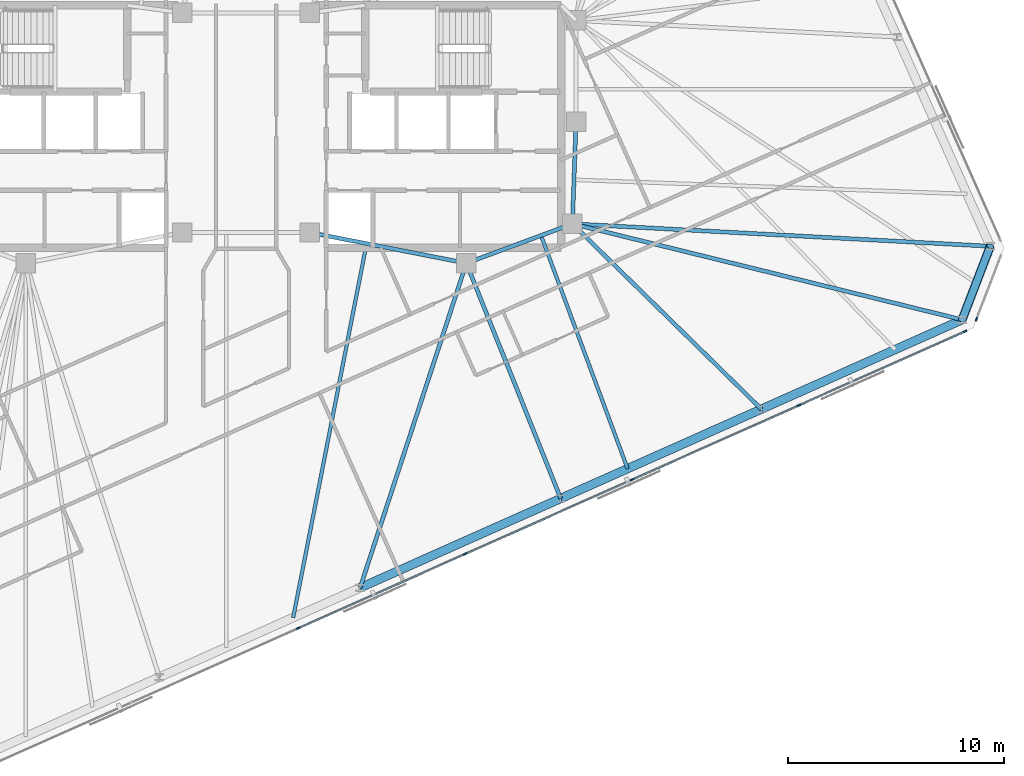
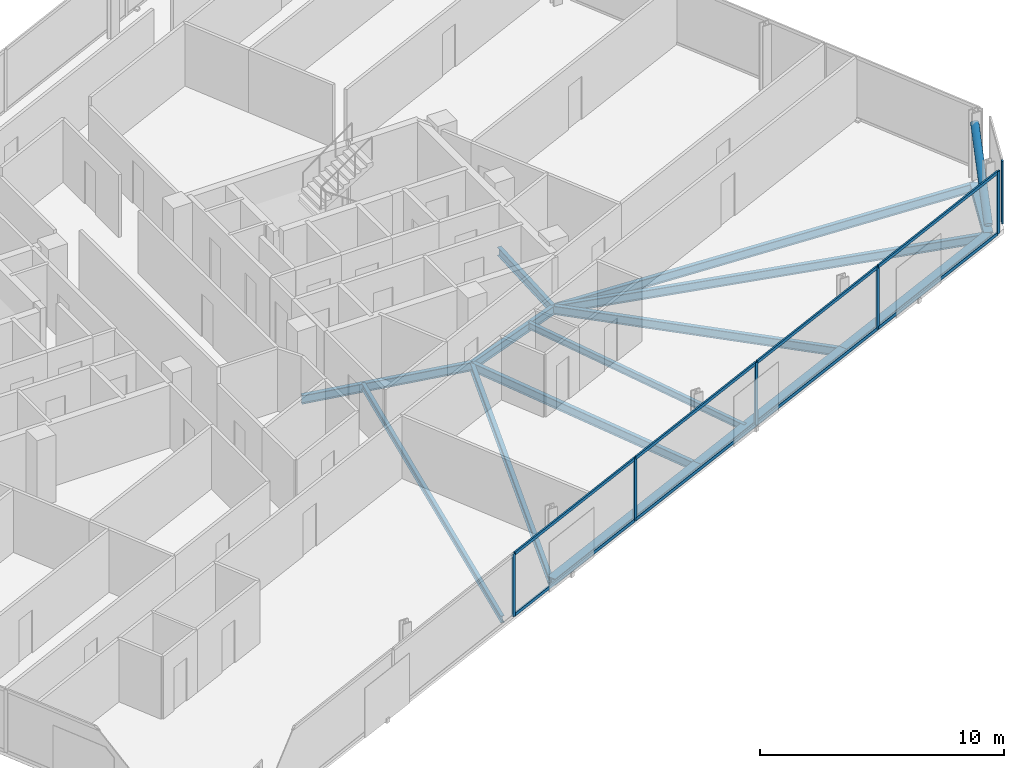
# One storey, part 7 of 18: 15 members, 14 beams, 2 elements without a shape of their own.
"""IFC4 building model written with IfcOpenShell, lengths in metres."""

from ifc_helpers import new_model, si_unit, direction, frame, origin, origin_2d, place, context, subcontext, project, spatial, rectangle, hollow_circle, i_section, extrude, material, material_profile, profile_set, type_object, element, aggregate, save


model = new_model("IFC4")

# Units and contexts
model_context = context("Model", 3, precision=1e-05, world=origin(), true_north=direction((0.0, 1.0)))
body_context = subcontext(model_context, "Body", "Model", "MODEL_VIEW")
ifc_project = project(units=[si_unit("LENGTHUNIT", "METRE"), si_unit("AREAUNIT", "SQUARE_METRE"), si_unit("VOLUMEUNIT", "CUBIC_METRE"), si_unit("PLANEANGLEUNIT", "RADIAN"), si_unit("MASSUNIT", "GRAM", prefix="KILO")], contexts=[model_context])

# Site, building, storey
site_placement = place(None, origin())
site = spatial("IfcSite", under=ifc_project, at=site_placement, CompositionType="ELEMENT")
building_placement = place(site_placement, origin())
building = spatial("IfcBuilding", under=site, at=building_placement, Name="Menara Jurai Vektor", CompositionType="ELEMENT")
storey_placement = place(building_placement, frame((0.0, 0.0, 258.85009765625)))
storey = spatial("IfcBuildingStorey", under=building, at=storey_placement, Name="L69", CompositionType="ELEMENT", Elevation=258.85009765625)

# Curtain wall, members
ifc_material_1 = material(Name="Anodised Pale Aluminium & Low-E Double Glazing", Category="aluminium")
curtain_wall_type = type_object("IfcCurtainWallType", Name="CW-BLK5", PredefinedType="NOTDEFINED", material=ifc_material_1)
curtain_wall_1_placement = place(storey_placement, origin())
curtain_wall_1 = element("IfcCurtainWall", 1, at=curtain_wall_1_placement, inside=storey, type_object=curtain_wall_type, Name="Unitised Curtain Wall L69 F01", PredefinedType="NOTDEFINED")
ifc_material_2 = material(Name="Anodised Pale Aluminium Mullion", Category="aluminium")
ifc_material_profile_1 = material_profile(ifc_material_2, rectangle(XDim=0.074951171875, YDim=0.175048828125, at=origin_2d()), Name="ALU MUL 75x175")
ifc_profile_set_1 = profile_set([ifc_material_profile_1], Name="Anodised Pale Aluminium Mullion")
member_type_1 = type_object("IfcMemberType", Name="CW-BLK5-MUL", PredefinedType="MULLION", material=ifc_profile_set_1)
member_1_placement = place(storey_placement, frame((2.417724609375, -23.190185546875, 0.0), z_axis=(0.0, 0.0, 1.0), x_axis=(-0.406735498684, 0.913545967158, 0.0)))
member_1 = element("IfcMember", 2, at=member_1_placement, type_object=member_type_1, Name="CW-05 mullion 3", PredefinedType="MULLION", context=body_context, shape_type="SweptSolid", body=[
    extrude(rectangle(XDim=0.074951171875, YDim=0.175048828125, at=origin_2d()), origin(), (0.0, 0.0, 1.0), 3.125),
])
member_2_placement = place(storey_placement, frame((10.1279296875, -19.75732421875, 0.0), z_axis=(0.0, 0.0, 1.0), x_axis=(-0.406735498684, 0.913545967158, 0.0)))
member_2 = element("IfcMember", 3, at=member_2_placement, type_object=member_type_1, Name="CW-05 mullion 4", PredefinedType="MULLION", context=body_context, shape_type="SweptSolid", body=[
    extrude(rectangle(XDim=0.074951171875, YDim=0.175048828125, at=origin_2d()), origin(), (0.0, 0.0, 1.0), 3.125),
])
member_3_placement = place(storey_placement, frame((17.83837890625, -16.324462890625, 0.0), z_axis=(0.0, 0.0, 1.0), x_axis=(-0.406735498684, 0.913545967158, 0.0)))
member_3 = element("IfcMember", 4, at=member_3_placement, type_object=member_type_1, Name="CW-05 mullion 5", PredefinedType="MULLION", context=body_context, shape_type="SweptSolid", body=[
    extrude(rectangle(XDim=0.074951171875, YDim=0.175048828125, at=origin_2d()), origin(), (0.0, 0.0, 1.0), 3.125),
])
member_4_placement = place(storey_placement, frame((25.548583984375, -12.8916015625, 0.0), z_axis=(0.0, 0.0, 1.0), x_axis=(-0.406735498684, 0.913545967158, 0.0)))
member_4 = element("IfcMember", 5, at=member_4_placement, type_object=member_type_1, Name="CW-05 mullion 6", PredefinedType="MULLION", context=body_context, shape_type="SweptSolid", body=[
    extrude(rectangle(XDim=0.074951171875, YDim=0.175048828125, at=origin_2d()), origin(), (0.0, 0.0, 1.0), 3.125),
])
member_5_placement = place(storey_placement, frame((33.224853515625, -9.47412109375, 0.0), z_axis=(0.0, 0.0, 1.0), x_axis=(-0.406735498684, 0.913545967158, 0.0)))
member_5 = element("IfcMember", 6, at=member_5_placement, type_object=member_type_1, Name="CW-05 mullion 7", PredefinedType="MULLION", context=body_context, shape_type="SweptSolid", body=[
    extrude(rectangle(XDim=0.074951171875, YDim=0.175048828125, at=origin_2d()), origin(), (0.0, 0.0, 1.0), 3.125),
])

# Curtain wall, member
curtain_wall_2_placement = place(storey_placement, origin())
curtain_wall_2 = element("IfcCurtainWall", 7, at=curtain_wall_2_placement, inside=storey, type_object=curtain_wall_type, Name="Unitised Curtain Wall L69 F02", PredefinedType="NOTDEFINED")
member_6_placement = place(storey_placement, frame((33.755859375, -8.914306640625, 0.0), z_axis=(0.0, 0.0, 1.0), x_axis=(-0.933578193639, 0.358373766287, 0.0)))
member_6 = element("IfcMember", 8, at=member_6_placement, type_object=member_type_1, Name="CW-05 mullion 1", PredefinedType="MULLION", context=body_context, shape_type="SweptSolid", body=[
    extrude(rectangle(XDim=0.074951171875, YDim=0.175048828125, at=origin_2d()), origin(), (0.0, 0.0, 1.0), 3.125),
])
aggregate(curtain_wall_2, [member_6])

# Member
ifc_material_3 = material(Name="Anodised Pale Aluminium Transom", Category="aluminium")
ifc_material_profile_2 = material_profile(ifc_material_3, rectangle(XDim=0.074951171875, YDim=0.155029296875, at=origin_2d()), Name="ALU TRN 75x155")
ifc_profile_set_2 = profile_set([ifc_material_profile_2], Name="Anodised Pale Aluminium Transom")
member_type_2 = type_object("IfcMemberType", Name="CW-BLK5-TRN", PredefinedType="USERDEFINED", material=ifc_profile_set_2)
member_7_placement = place(storey_placement, frame((2.451904296875, -23.175048828125, 0.037353515625), z_axis=(0.913546575494, 0.406734132331, 0.0), x_axis=(-0.406734132331, 0.913546575494, 0.0)))
member_7 = element("IfcMember", 9, at=member_7_placement, type_object=member_type_2, Name="CW-05 transom 3.1", ObjectType="TRANSOM", PredefinedType="USERDEFINED", context=body_context, shape_type="SweptSolid", body=[
    extrude(rectangle(XDim=0.074951171875, YDim=0.155029296875, at=origin_2d()), origin(), (0.0, 0.0, 1.0), 8.364990234375),
])

member_8_placement = place(storey_placement, frame((2.451904296875, -23.175048828125, 3.08740234375), z_axis=(0.913546575494, 0.406734132331, 0.0), x_axis=(-0.406734132331, 0.913546575494, 0.0)))
member_8 = element("IfcMember", 10, at=member_8_placement, type_object=member_type_2, Name="CW-05 transom 3.2", ObjectType="TRANSOM", PredefinedType="USERDEFINED", context=body_context, shape_type="SweptSolid", body=[
    extrude(rectangle(XDim=0.074951171875, YDim=0.155029296875, at=origin_2d()), origin(), (0.0, 0.0, 1.0), 8.364990234375),
])

member_9_placement = place(storey_placement, frame((10.162353515625, -19.7421875, 0.037353515625), z_axis=(0.913541747007, 0.406744977198, 0.0), x_axis=(-0.406744977198, 0.913541747007, 0.0)))
member_9 = element("IfcMember", 11, at=member_9_placement, type_object=member_type_2, Name="CW-05 transom 4.1", ObjectType="TRANSOM", PredefinedType="USERDEFINED", context=body_context, shape_type="SweptSolid", body=[
    extrude(rectangle(XDim=0.074951171875, YDim=0.155029296875, at=origin_2d()), origin(), (0.0, 0.0, 1.0), 8.36474609375),
])

member_10_placement = place(storey_placement, frame((10.162353515625, -19.7421875, 3.08740234375), z_axis=(0.913541747007, 0.406744977198, 0.0), x_axis=(-0.406744977198, 0.913541747007, 0.0)))
member_10 = element("IfcMember", 12, at=member_10_placement, type_object=member_type_2, Name="CW-05 transom 4.2", ObjectType="TRANSOM", PredefinedType="USERDEFINED", context=body_context, shape_type="SweptSolid", body=[
    extrude(rectangle(XDim=0.074951171875, YDim=0.155029296875, at=origin_2d()), origin(), (0.0, 0.0, 1.0), 8.36474609375),
])

member_11_placement = place(storey_placement, frame((17.87255859375, -16.309326171875, 0.037353515625), z_axis=(0.913546575494, 0.406734132331, 0.0), x_axis=(-0.406734132331, 0.913546575494, 0.0)))
member_11 = element("IfcMember", 13, at=member_11_placement, type_object=member_type_2, Name="CW-05 transom 5.1", ObjectType="TRANSOM", PredefinedType="USERDEFINED", context=body_context, shape_type="SweptSolid", body=[
    extrude(rectangle(XDim=0.074951171875, YDim=0.155029296875, at=origin_2d()), origin(), (0.0, 0.0, 1.0), 8.364990234375),
])

member_12_placement = place(storey_placement, frame((17.87255859375, -16.309326171875, 3.08740234375), z_axis=(0.913546575494, 0.406734132331, 0.0), x_axis=(-0.406734132331, 0.913546575494, 0.0)))
member_12 = element("IfcMember", 14, at=member_12_placement, type_object=member_type_2, Name="CW-05 transom 5.2", ObjectType="TRANSOM", PredefinedType="USERDEFINED", context=body_context, shape_type="SweptSolid", body=[
    extrude(rectangle(XDim=0.074951171875, YDim=0.155029296875, at=origin_2d()), origin(), (0.0, 0.0, 1.0), 8.364990234375),
])

member_13_placement = place(storey_placement, frame((25.5830078125, -12.87646484375, 0.037353515625), z_axis=(0.91353811338, 0.406753138159, 0.0), x_axis=(-0.406753138159, 0.91353811338, 0.0)))
member_13 = element("IfcMember", 15, at=member_13_placement, type_object=member_type_2, Name="CW-05 transom 6.1", ObjectType="TRANSOM", PredefinedType="USERDEFINED", context=body_context, shape_type="SweptSolid", body=[
    extrude(rectangle(XDim=0.074951171875, YDim=0.155029296875, at=origin_2d()), origin(), (0.0, 0.0, 1.0), 8.327392578125),
])

member_14_placement = place(storey_placement, frame((25.5830078125, -12.87646484375, 3.08740234375), z_axis=(0.91353811338, 0.406753138159, 0.0), x_axis=(-0.406753138159, 0.91353811338, 0.0)))
member_14 = element("IfcMember", 16, at=member_14_placement, type_object=member_type_2, Name="CW-05 transom 6.2", ObjectType="TRANSOM", PredefinedType="USERDEFINED", context=body_context, shape_type="SweptSolid", body=[
    extrude(rectangle(XDim=0.074951171875, YDim=0.155029296875, at=origin_2d()), origin(), (0.0, 0.0, 1.0), 8.327392578125),
])

aggregate(curtain_wall_1, [member_1, member_2, member_3, member_4, member_5, member_7, member_8, member_9, member_10, member_11, member_12, member_13, member_14])

# Beams
ifc_material_4 = material(Name="Steel S355", Category="steel")
ifc_material_profile_3 = material_profile(ifc_material_4, i_section(OverallWidth=0.18505859375, OverallDepth=0.429931640625, WebThickness=0.010986328125, FlangeThickness=0.01806640625, at=origin_2d()), Name="PG 430x185x76")
ifc_profile_set_3 = profile_set([ifc_material_profile_3], Name="Steel S355")
beam_type_1 = type_object("IfcBeamType", Name="STR-BM-430", PredefinedType="BEAM", material=ifc_profile_set_3)
beam_1_placement = place(storey_placement, frame((15.080078125, -4.5, -0.440185546875), z_axis=(0.035977314146, 0.999352606874, 0.0), x_axis=(-0.999352606874, 0.035977314146, 0.0)))
element("IfcBeam", 17, at=beam_1_placement, inside=storey, type_object=beam_type_1, Name="Core Ring Header Girder L69-CHE-E2", PredefinedType="BEAM", context=body_context, shape_type="SweptSolid", body=[
    extrude(i_section(OverallWidth=0.18505859375, OverallDepth=0.429931640625, WebThickness=0.010986328125, FlangeThickness=0.01806640625, at=origin_2d()), origin(), (0.0, 0.0, 1.0), 4.72314453125),
])
beam_2_placement = place(storey_placement, frame((10.179931640625, -6.320068359375, -0.440185546875), z_axis=(0.937424400887, 0.348188874925, 0.0), x_axis=(-0.348188874925, 0.937424400887, 0.0)))
element("IfcBeam", 18, at=beam_2_placement, inside=storey, type_object=beam_type_1, Name="Core Ring Header Girder L69-CHE-S1", PredefinedType="BEAM", context=body_context, shape_type="SweptSolid", body=[
    extrude(i_section(OverallWidth=0.18505859375, OverallDepth=0.429931640625, WebThickness=0.010986328125, FlangeThickness=0.01806640625, at=origin_2d()), origin(), (0.0, 0.0, 1.0), 5.227294921875),
])
beam_3_placement = place(storey_placement, frame((2.949951171875, -4.89990234375, -0.440185546875), z_axis=(0.981249044334, -0.192744164614, 0.0), x_axis=(0.192744164614, 0.981249044334, 0.0)))
element("IfcBeam", 19, at=beam_3_placement, inside=storey, type_object=beam_type_1, Name="Core Ring Header Girder L69-CHE-S2", PredefinedType="BEAM", context=body_context, shape_type="SweptSolid", body=[
    extrude(i_section(OverallWidth=0.18505859375, OverallDepth=0.429931640625, WebThickness=0.010986328125, FlangeThickness=0.01806640625, at=origin_2d()), origin(), (0.0, 0.0, 1.0), 7.3681640625),
])
beam_4_placement = place(storey_placement, frame((5.267578125, -21.3193359375, -0.440185546875), z_axis=(0.311239486704, 0.950331511587, 0.0), x_axis=(-0.950331511587, 0.311239486704, 0.0)))
element("IfcBeam", 20, at=beam_4_placement, inside=storey, type_object=beam_type_1, Name="Radial Floor Girder L69-S3", PredefinedType="BEAM", context=body_context, shape_type="SweptSolid", body=[
    extrude(i_section(OverallWidth=0.18505859375, OverallDepth=0.429931640625, WebThickness=0.010986328125, FlangeThickness=0.01806640625, at=origin_2d()), origin(), (0.0, 0.0, 1.0), 15.783203125),
])
beam_5_placement = place(storey_placement, frame((14.541015625, -17.1904296875, -0.440185546875), z_axis=(-0.372342852726, 0.928095253745, 0.0), x_axis=(-0.928095253745, -0.372342852726, 0.0)))
element("IfcBeam", 21, at=beam_5_placement, inside=storey, type_object=beam_type_1, Name="Radial Floor Girder L69-S4", PredefinedType="BEAM", context=body_context, shape_type="SweptSolid", body=[
    extrude(i_section(OverallWidth=0.18505859375, OverallDepth=0.429931640625, WebThickness=0.010986328125, FlangeThickness=0.01806640625, at=origin_2d()), origin(), (0.0, 0.0, 1.0), 11.712646484375),
])
beam_6_placement = place(storey_placement, frame((23.814697265625, -13.061767578125, -0.440185546875), z_axis=(-0.714137598149, 0.70000535063, 0.0), x_axis=(-0.70000535063, -0.714137598149, 0.0)))
element("IfcBeam", 22, at=beam_6_placement, inside=storey, type_object=beam_type_1, Name="Radial Floor Girder L69-S5", PredefinedType="BEAM", context=body_context, shape_type="SweptSolid", body=[
    extrude(i_section(OverallWidth=0.18505859375, OverallDepth=0.429931640625, WebThickness=0.010986328125, FlangeThickness=0.01806640625, at=origin_2d()), origin(), (0.0, 0.0, 1.0), 12.23095703125),
])
beam_7_placement = place(storey_placement, frame((33.088134765625, -8.932861328125, -0.440185546875), z_axis=(-0.971013515776, 0.239024584888, 0.0), x_axis=(-0.239024584888, -0.971013515776, 0.0)))
element("IfcBeam", 23, at=beam_7_placement, inside=storey, type_object=beam_type_1, Name="Radial Floor Girder L69-S6", PredefinedType="BEAM", context=body_context, shape_type="SweptSolid", body=[
    extrude(i_section(OverallWidth=0.18505859375, OverallDepth=0.429931640625, WebThickness=0.010986328125, FlangeThickness=0.01806640625, at=origin_2d()), origin(), (0.0, 0.0, 1.0), 18.545654296875),
])
beam_8_placement = place(storey_placement, frame((34.3916015625, -5.536865234375, -0.440185546875), z_axis=(-0.998561718759, 0.053614306189, 0.0), x_axis=(-0.053614306189, -0.998561718759, 0.0)))
element("IfcBeam", 24, at=beam_8_placement, inside=storey, type_object=beam_type_1, Name="Radial Floor Girder L69-E1", PredefinedType="BEAM", context=body_context, shape_type="SweptSolid", body=[
    extrude(i_section(OverallWidth=0.18505859375, OverallDepth=0.429931640625, WebThickness=0.010986328125, FlangeThickness=0.01806640625, at=origin_2d()), origin(), (0.0, 0.0, 1.0), 19.33935546875),
])
ifc_material_5 = material(Name="Steel S460", Category="steel")
ifc_material_profile_4 = material_profile(ifc_material_5, i_section(OverallWidth=0.39697265625, OverallDepth=0.31591796875, WebThickness=0.030029296875, FlangeThickness=0.048095703125, FilletRadius=0.014892578125, at=origin_2d()), Name="HD 400x382")
ifc_profile_set_4 = profile_set([ifc_material_profile_4], Name="Steel S460")
beam_type_2 = type_object("IfcBeamType", Name="STR-BM-CHORD382", PredefinedType="SPANDREL", material=ifc_profile_set_4)
for number, where, z_axis, x_axis, name in (
    (25, (5.267578125, -21.3193359375, -0.383056640625), (0.913541582548, 0.406745346568, 0.0), (-0.406745346568, 0.913541582548, 0.0), "Exoskeleton Spandrel Beam L69-03"),
    (26, (14.541015625, -17.1904296875, -0.383056640625), (0.913554497648, 0.406716338284, 0.0), (-0.406716338284, 0.913554497648, 0.0), "Exoskeleton Spandrel Beam L69-04"),
    (27, (23.814697265625, -13.061767578125, -0.383056640625), (0.913541582548, 0.406745346568, 0.0), (-0.406745346568, 0.913541582548, 0.0), "Exoskeleton Spandrel Beam L69-05"),
):
    element("IfcBeam", number, at=place(storey_placement, frame(where, z_axis=z_axis, x_axis=x_axis)), inside=storey, type_object=beam_type_2, Name=name, PredefinedType="SPANDREL", context=body_context, shape_type="SweptSolid", body=[
        extrude(i_section(OverallWidth=0.39697265625, OverallDepth=0.31591796875, WebThickness=0.030029296875, FlangeThickness=0.048095703125, FilletRadius=0.014892578125, at=origin_2d()), origin(), (0.0, 0.0, 1.0), 10.151123046875),
    ])
beam_9_placement = place(storey_placement, frame((33.088134765625, -8.932861328125, -0.383056640625), z_axis=(0.358335850414, 0.933592747566, 0.0), x_axis=(-0.933592747566, 0.358335850414, 0.0)))
element("IfcBeam", 28, at=beam_9_placement, inside=storey, type_object=beam_type_2, Name="Exoskeleton Spandrel Beam L69-06", PredefinedType="SPANDREL", context=body_context, shape_type="SweptSolid", body=[
    extrude(i_section(OverallWidth=0.39697265625, OverallDepth=0.31591796875, WebThickness=0.030029296875, FlangeThickness=0.048095703125, FilletRadius=0.014892578125, at=origin_2d()), origin(), (0.0, 0.0, 1.0), 3.637451171875),
])

# Member
ifc_material_profile_5 = material_profile(ifc_material_5, hollow_circle(Radius=0.177734375, WallThickness=0.01611328125, at=origin_2d()), Name="CHS 355.6x16")
ifc_profile_set_5 = profile_set([ifc_material_profile_5], Name="Steel S460")
member_type_3 = type_object("IfcMemberType", Name="STR-BR-356", PredefinedType="BRACE", material=ifc_profile_set_5)
member_15_placement = place(storey_placement, frame((33.088134765625, -8.932861328125, 0.14990234375), z_axis=(0.290575939475, 0.757054002265, 0.585179340931), x_axis=(-0.933592747566, 0.358335850414, 0.0)))
element("IfcMember", 29, at=member_15_placement, inside=storey, type_object=member_type_3, Name="Exoskeleton Corner Brace L69-1", PredefinedType="BRACE", context=body_context, shape_type="SweptSolid", body=[
    extrude(hollow_circle(Radius=0.177734375, WallThickness=0.01611328125, at=origin_2d()), origin(), (0.0, 0.0, 1.0), 4.48583984375),
])

# Beams
ifc_material_profile_6 = material_profile(ifc_material_4, i_section(OverallWidth=0.1650390625, OverallDepth=0.330078125, WebThickness=0.009033203125, FlangeThickness=0.013916015625, at=origin_2d()), Name="PG 330x165x46")
ifc_profile_set_6 = profile_set([ifc_material_profile_6], Name="Steel S355")
beam_type_3 = type_object("IfcBeamType", Name="STR-JS-330", PredefinedType="JOIST", material=ifc_profile_set_6)
beam_10_placement = place(storey_placement, frame((2.176513671875, -22.695556640625, -0.39013671875), z_axis=(0.192710503651, 0.981255655669, 0.0), x_axis=(-0.981255655669, 0.192710503651, 0.0)))
element("IfcBeam", 30, at=beam_10_placement, inside=storey, type_object=beam_type_3, Name="Radial Secondary Floor Joist L69-JS04", PredefinedType="JOIST", context=body_context, shape_type="SweptSolid", body=[
    extrude(i_section(OverallWidth=0.1650390625, OverallDepth=0.330078125, WebThickness=0.009033203125, FlangeThickness=0.013916015625, at=origin_2d()), origin(), (0.0, 0.0, 1.0), 17.61083984375),
])
beam_11_placement = place(storey_placement, frame((17.632080078125, -15.814208984375, -0.39013671875), z_axis=(-0.348172664726, 0.937430421705, 0.0), x_axis=(-0.937430421705, -0.348172664726, 0.0)))
element("IfcBeam", 31, at=beam_11_placement, inside=storey, type_object=beam_type_3, Name="Radial Secondary Floor Joist L69-JS05", PredefinedType="JOIST", context=body_context, shape_type="SweptSolid", body=[
    extrude(i_section(OverallWidth=0.1650390625, OverallDepth=0.330078125, WebThickness=0.009033203125, FlangeThickness=0.013916015625, at=origin_2d()), origin(), (0.0, 0.0, 1.0), 11.494873046875),
])

save(model, "model.ifc")
